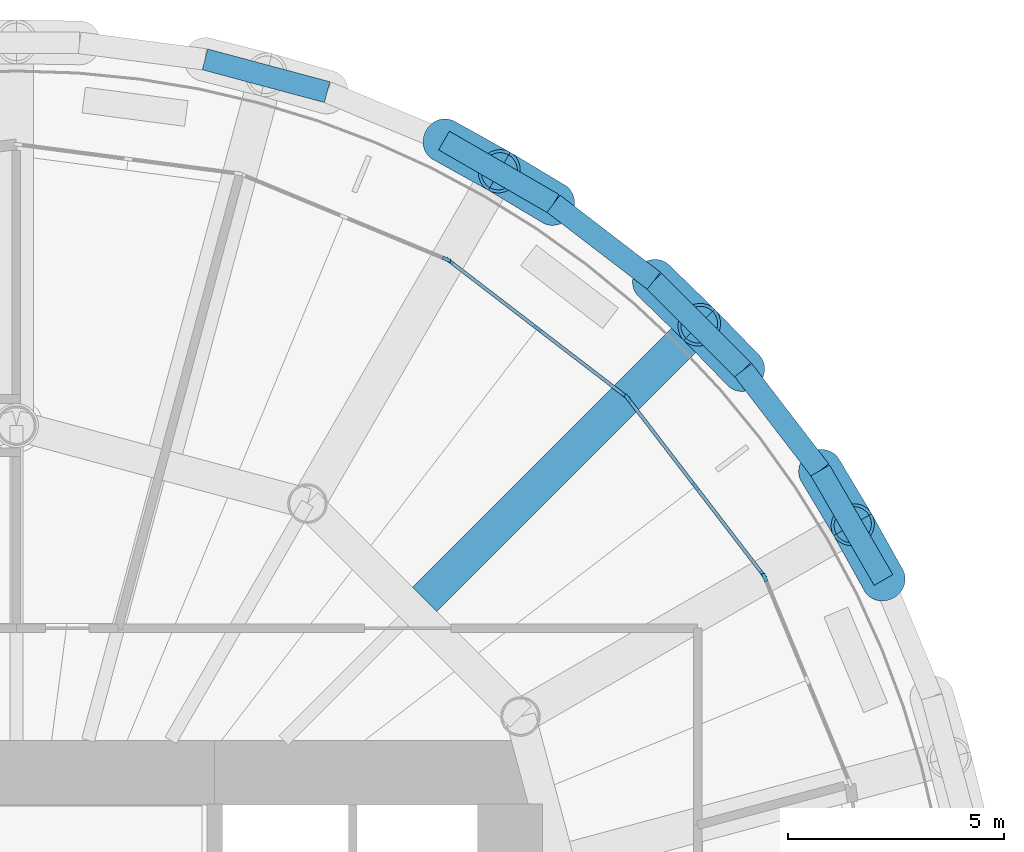
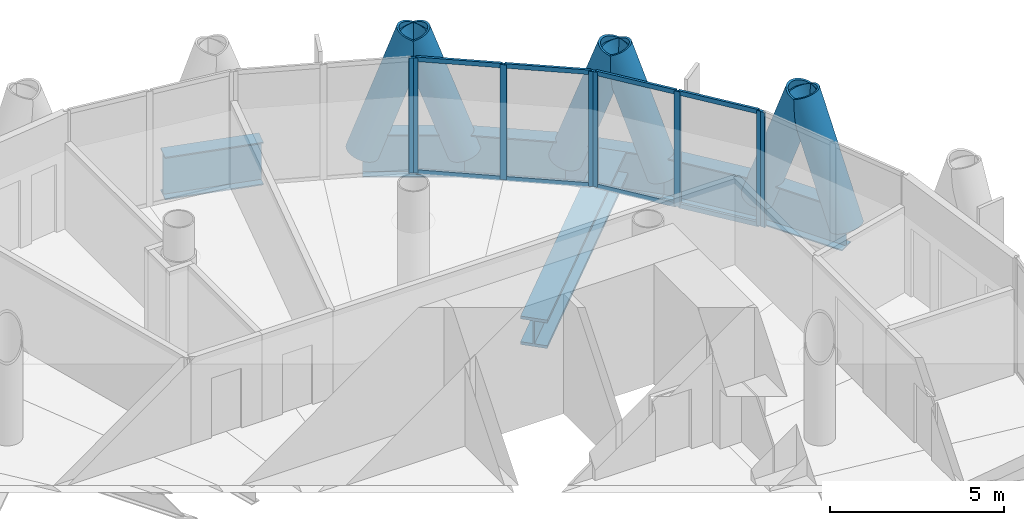
# One storey, part 6 of 14: 22 members, 7 beams, 4 elements without a shape of their own.
"""IFC4 building model written with IfcOpenShell, lengths in metres."""

from ifc_helpers import new_model, si_unit, direction, frame, origin, origin_2d, place, context, subcontext, project, spatial, rectangle, hollow_circle, i_section, extrude, material, material_profile, profile_set, type_object, element, aggregate, save


model = new_model("IFC4")

# Units and contexts
model_context = context("Model", 3, precision=1e-05, world=origin(), true_north=direction((0.0, 1.0)))
body_context = subcontext(model_context, "Body", "Model", "MODEL_VIEW")
ifc_project = project(units=[si_unit("LENGTHUNIT", "METRE"), si_unit("AREAUNIT", "SQUARE_METRE"), si_unit("VOLUMEUNIT", "CUBIC_METRE"), si_unit("PLANEANGLEUNIT", "RADIAN"), si_unit("MASSUNIT", "GRAM", prefix="KILO")], contexts=[model_context])

# Site, building, storey
site_placement = place(None, origin())
site = spatial("IfcSite", under=ifc_project, at=site_placement, CompositionType="ELEMENT")
building_placement = place(site_placement, origin())
building = spatial("IfcBuilding", under=site, at=building_placement, Name="Qaws Media Tower", CompositionType="ELEMENT")
storey_placement = place(building_placement, frame((0.0, 0.0, 240.199951171875)))
storey = spatial("IfcBuildingStorey", under=building, at=storey_placement, Name="L55", CompositionType="ELEMENT", Elevation=240.199951171875)

# Curtain wall, member
ifc_material_1 = material(Name="Aluminium and clear glass", Category="aluminium")
curtain_wall_type = type_object("IfcCurtainWallType", Name="Unitised curtain wall CW-C", PredefinedType="NOTDEFINED", material=ifc_material_1)
curtain_wall_1_placement = place(storey_placement, origin())
curtain_wall_1 = element("IfcCurtainWall", 1, at=curtain_wall_1_placement, inside=storey, type_object=curtain_wall_type, Name="CWC curtain wall L55-02", PredefinedType="NOTDEFINED")
ifc_material_2 = material(Name="Aluminium mullion", Category="aluminium")
ifc_material_profile_1 = material_profile(ifc_material_2, rectangle(XDim=0.080078125, YDim=0.199951171875, at=origin_2d()), Name="80x200")
ifc_profile_set_1 = profile_set([ifc_material_profile_1], Name="Aluminium mullion")
member_type_1 = type_object("IfcMemberType", Name="Curtain wall mullion 80x200", PredefinedType="MULLION", material=ifc_profile_set_1)
member_1_placement = place(storey_placement, frame((77.357421875, 59.9755859375, 0.0), z_axis=(0.0, 0.0, 1.0), x_axis=(-0.923879540446, -0.382683413209, 0.0)))
member_1 = element("IfcMember", 2, at=member_1_placement, type_object=member_type_1, Name="CWC mullion 3", PredefinedType="MULLION", context=body_context, shape_type="SweptSolid", body=[
    extrude(rectangle(XDim=0.080078125, YDim=0.199951171875, at=origin_2d()), origin(), (0.0, 0.0, 1.0), 4.0400390625),
])
aggregate(curtain_wall_1, [member_1])

# Curtain wall, members
curtain_wall_2_placement = place(storey_placement, origin())
curtain_wall_2 = element("IfcCurtainWall", 3, at=curtain_wall_2_placement, inside=storey, type_object=curtain_wall_type, Name="CWC curtain wall L55-03", PredefinedType="NOTDEFINED")
member_2_placement = place(storey_placement, frame((77.31787109375, 60.044189453125, 0.0), z_axis=(0.0, 0.0, 1.0), x_axis=(-0.793353265683, -0.60876152624, 0.0)))
member_2 = element("IfcMember", 4, at=member_2_placement, type_object=member_type_1, Name="CWC mullion 1", PredefinedType="MULLION", context=body_context, shape_type="SweptSolid", body=[
    extrude(rectangle(XDim=0.080078125, YDim=0.199951171875, at=origin_2d()), origin(), (0.0, 0.0, 1.0), 4.0400390625),
])
member_3_placement = place(storey_placement, frame((75.7509765625, 62.086181640625, 0.0), z_axis=(0.0, 0.0, 1.0), x_axis=(-0.793353265683, -0.60876152624, 0.0)))
member_3 = element("IfcMember", 5, at=member_3_placement, type_object=member_type_1, Name="CWC mullion 2", PredefinedType="MULLION", context=body_context, shape_type="SweptSolid", body=[
    extrude(rectangle(XDim=0.080078125, YDim=0.199951171875, at=origin_2d()), origin(), (0.0, 0.0, 1.0), 4.0400390625),
])
member_4_placement = place(storey_placement, frame((74.18408203125, 64.128173828125, 0.0), z_axis=(0.0, 0.0, 1.0), x_axis=(-0.793353265683, -0.60876152624, 0.0)))
member_4 = element("IfcMember", 6, at=member_4_placement, type_object=member_type_1, Name="CWC mullion 3", PredefinedType="MULLION", context=body_context, shape_type="SweptSolid", body=[
    extrude(rectangle(XDim=0.080078125, YDim=0.199951171875, at=origin_2d()), origin(), (0.0, 0.0, 1.0), 4.0400390625),
])

curtain_wall_3_placement = place(storey_placement, origin())
curtain_wall_3 = element("IfcCurtainWall", 7, at=curtain_wall_3_placement, inside=storey, type_object=curtain_wall_type, Name="CWC curtain wall L55-04", PredefinedType="NOTDEFINED")
member_5_placement = place(storey_placement, frame((74.128173828125, 64.18408203125, 0.0), z_axis=(0.0, 0.0, 1.0), x_axis=(-0.60876152624, -0.793353265683, 0.0)))
member_5 = element("IfcMember", 8, at=member_5_placement, type_object=member_type_1, Name="CWC mullion 1", PredefinedType="MULLION", context=body_context, shape_type="SweptSolid", body=[
    extrude(rectangle(XDim=0.080078125, YDim=0.199951171875, at=origin_2d()), origin(), (0.0, 0.0, 1.0), 4.0400390625),
])
member_6_placement = place(storey_placement, frame((72.086181640625, 65.7509765625, 0.0), z_axis=(0.0, 0.0, 1.0), x_axis=(-0.60876152624, -0.793353265683, 0.0)))
member_6 = element("IfcMember", 9, at=member_6_placement, type_object=member_type_1, Name="CWC mullion 2", PredefinedType="MULLION", context=body_context, shape_type="SweptSolid", body=[
    extrude(rectangle(XDim=0.080078125, YDim=0.199951171875, at=origin_2d()), origin(), (0.0, 0.0, 1.0), 4.0400390625),
])
member_7_placement = place(storey_placement, frame((70.044189453125, 67.31787109375, 0.0), z_axis=(0.0, 0.0, 1.0), x_axis=(-0.60876152624, -0.793353265683, 0.0)))
member_7 = element("IfcMember", 10, at=member_7_placement, type_object=member_type_1, Name="CWC mullion 3", PredefinedType="MULLION", context=body_context, shape_type="SweptSolid", body=[
    extrude(rectangle(XDim=0.080078125, YDim=0.199951171875, at=origin_2d()), origin(), (0.0, 0.0, 1.0), 4.0400390625),
])

# Curtain wall, member
curtain_wall_4_placement = place(storey_placement, origin())
curtain_wall_4 = element("IfcCurtainWall", 11, at=curtain_wall_4_placement, inside=storey, type_object=curtain_wall_type, Name="CWC curtain wall L55-05", PredefinedType="NOTDEFINED")
member_8_placement = place(storey_placement, frame((69.9755859375, 67.357421875, 0.0), z_axis=(0.0, 0.0, 1.0), x_axis=(-0.382683413209, -0.923879540446, 0.0)))
member_8 = element("IfcMember", 12, at=member_8_placement, type_object=member_type_1, Name="CWC mullion 1", PredefinedType="MULLION", context=body_context, shape_type="SweptSolid", body=[
    extrude(rectangle(XDim=0.080078125, YDim=0.199951171875, at=origin_2d()), origin(), (0.0, 0.0, 1.0), 4.0400390625),
])
aggregate(curtain_wall_4, [member_8])

# Member
ifc_material_3 = material(Name="Aluminium transom", Category="aluminium")
ifc_material_profile_2 = material_profile(ifc_material_3, rectangle(XDim=0.080078125, YDim=0.159912109375, at=origin_2d()), Name="80x160")
ifc_profile_set_2 = profile_set([ifc_material_profile_2], Name="Aluminium transom")
member_type_2 = type_object("IfcMemberType", Name="Curtain wall transom 80x160", PredefinedType="USERDEFINED", material=ifc_profile_set_2)
member_9_placement = place(storey_placement, frame((77.29345703125, 60.075927734375, 0.0400390625), z_axis=(-0.608735677651, 0.793373099339, 0.0), x_axis=(-0.793373099339, -0.608735677651, 0.0)))
member_9 = element("IfcMember", 13, at=member_9_placement, type_object=member_type_2, Name="CWC transom 1.1", ObjectType="TRANSOM", PredefinedType="USERDEFINED", context=body_context, shape_type="SweptSolid", body=[
    extrude(rectangle(XDim=0.080078125, YDim=0.159912109375, at=origin_2d()), origin(), (0.0, 0.0, 1.0), 2.493896484375),
])

member_10_placement = place(storey_placement, frame((77.29345703125, 60.075927734375, 4.0), z_axis=(-0.608735677651, 0.793373099339, 0.0), x_axis=(-0.793373099339, -0.608735677651, 0.0)))
member_10 = element("IfcMember", 14, at=member_10_placement, type_object=member_type_2, Name="CWC transom 1.2", ObjectType="TRANSOM", PredefinedType="USERDEFINED", context=body_context, shape_type="SweptSolid", body=[
    extrude(rectangle(XDim=0.080078125, YDim=0.159912109375, at=origin_2d()), origin(), (0.0, 0.0, 1.0), 2.493896484375),
])

member_11_placement = place(storey_placement, frame((75.7265625, 62.117919921875, 0.0400390625), z_axis=(-0.608735677651, 0.793373099339, 0.0), x_axis=(-0.793373099339, -0.608735677651, 0.0)))
member_11 = element("IfcMember", 15, at=member_11_placement, type_object=member_type_2, Name="CWC transom 2.1", ObjectType="TRANSOM", PredefinedType="USERDEFINED", context=body_context, shape_type="SweptSolid", body=[
    extrude(rectangle(XDim=0.080078125, YDim=0.159912109375, at=origin_2d()), origin(), (0.0, 0.0, 1.0), 2.493896484375),
])

member_12_placement = place(storey_placement, frame((75.7265625, 62.117919921875, 4.0), z_axis=(-0.608735677651, 0.793373099339, 0.0), x_axis=(-0.793373099339, -0.608735677651, 0.0)))
member_12 = element("IfcMember", 16, at=member_12_placement, type_object=member_type_2, Name="CWC transom 2.2", ObjectType="TRANSOM", PredefinedType="USERDEFINED", context=body_context, shape_type="SweptSolid", body=[
    extrude(rectangle(XDim=0.080078125, YDim=0.159912109375, at=origin_2d()), origin(), (0.0, 0.0, 1.0), 2.493896484375),
])

aggregate(curtain_wall_2, [member_2, member_3, member_4, member_9, member_10, member_11, member_12])

member_13_placement = place(storey_placement, frame((74.096435546875, 64.20849609375, 0.0400390625), z_axis=(-0.793373099339, 0.608735677651, 0.0), x_axis=(-0.608735677651, -0.793373099339, 0.0)))
member_13 = element("IfcMember", 17, at=member_13_placement, type_object=member_type_2, Name="CWC transom 1.1", ObjectType="TRANSOM", PredefinedType="USERDEFINED", context=body_context, shape_type="SweptSolid", body=[
    extrude(rectangle(XDim=0.080078125, YDim=0.159912109375, at=origin_2d()), origin(), (0.0, 0.0, 1.0), 2.493896484375),
])

member_14_placement = place(storey_placement, frame((74.096435546875, 64.20849609375, 4.0), z_axis=(-0.793373099339, 0.608735677651, 0.0), x_axis=(-0.608735677651, -0.793373099339, 0.0)))
member_14 = element("IfcMember", 18, at=member_14_placement, type_object=member_type_2, Name="CWC transom 1.2", ObjectType="TRANSOM", PredefinedType="USERDEFINED", context=body_context, shape_type="SweptSolid", body=[
    extrude(rectangle(XDim=0.080078125, YDim=0.159912109375, at=origin_2d()), origin(), (0.0, 0.0, 1.0), 2.493896484375),
])

member_15_placement = place(storey_placement, frame((72.054443359375, 65.775390625, 0.0400390625), z_axis=(-0.793373099339, 0.608735677651, 0.0), x_axis=(-0.608735677651, -0.793373099339, 0.0)))
member_15 = element("IfcMember", 19, at=member_15_placement, type_object=member_type_2, Name="CWC transom 2.1", ObjectType="TRANSOM", PredefinedType="USERDEFINED", context=body_context, shape_type="SweptSolid", body=[
    extrude(rectangle(XDim=0.080078125, YDim=0.159912109375, at=origin_2d()), origin(), (0.0, 0.0, 1.0), 2.493896484375),
])

member_16_placement = place(storey_placement, frame((72.054443359375, 65.775390625, 4.0), z_axis=(-0.793373099339, 0.608735677651, 0.0), x_axis=(-0.608735677651, -0.793373099339, 0.0)))
member_16 = element("IfcMember", 20, at=member_16_placement, type_object=member_type_2, Name="CWC transom 2.2", ObjectType="TRANSOM", PredefinedType="USERDEFINED", context=body_context, shape_type="SweptSolid", body=[
    extrude(rectangle(XDim=0.080078125, YDim=0.159912109375, at=origin_2d()), origin(), (0.0, 0.0, 1.0), 2.493896484375),
])

aggregate(curtain_wall_3, [member_5, member_6, member_7, member_13, member_14, member_15, member_16])

# Members
ifc_material_4 = material(Name="Steel S460", Category="steel")
ifc_material_profile_3 = material_profile(ifc_material_4, hollow_circle(Radius=0.508056640625, WallThickness=0.070068359375, at=origin_2d()), Name="CHS 1016x70")
ifc_profile_set_3 = profile_set([ifc_material_profile_3], Name="Steel S460")
member_type_3 = type_object("IfcMemberType", Name="Diagrid member CHS 1016x70", PredefinedType="USERDEFINED", material=ifc_profile_set_3)
for number, where, z_axis, x_axis, name in (
    (21, (80.1123046875, 59.918212890625, -0.909912109375), (-0.16035500825, 0.288112181147, 0.944075019479), (-0.873780180537, -0.486321083339, 0.0), "DG3 diagrid L55 A02"),
    (22, (76.860107421875, 64.785888671875, -0.909912109375), (-0.229502230315, 0.236746203151, 0.944076247754), (-0.718006249042, -0.696036655886, 0.0), "DG3 diagrid L55 A03"),
    (23, (78.645751953125, 62.458740234375, -0.909912109375), (0.16929995642, -0.282953184863, 0.944073630567), (0.858123742707, 0.513442929839, 0.0), "DG3 diagrid L55 B03"),
    (24, (72.458740234375, 68.645751953125, -0.909912109375), (-0.282953184863, 0.16929995642, 0.944073630567), (-0.513442929839, -0.858123742707, 0.0), "DG3 diagrid L55 A04"),
    (25, (74.785888671875, 66.860107421875, -0.909912109375), (0.236746203151, -0.229502230315, 0.944076247754), (0.696036655886, 0.718006249042, 0.0), "DG3 diagrid L55 B04"),
    (26, (69.918212890625, 70.1123046875, -0.909912109375), (0.288112181147, -0.16035500825, 0.944075019479), (0.486321083339, 0.873780180537, 0.0), "DG3 diagrid L55 B05"),
):
    element("IfcMember", number, at=place(storey_placement, frame(where, z_axis=z_axis, x_axis=x_axis)), inside=storey, type_object=member_type_3, Name=name, ObjectType="DIAGRID", PredefinedType="USERDEFINED", context=body_context, shape_type="SweptSolid", body=[
        extrude(hollow_circle(Radius=0.508056640625, WallThickness=0.070068359375, at=origin_2d()), origin(), (0.0, 0.0, 1.0), 4.44873046875),
    ])

# Beams
ifc_material_5 = material(Name="Steel S460", Category="steel")
ifc_material_profile_4 = material_profile(ifc_material_5, i_section(OverallWidth=0.5, OverallDepth=1.5, WebThickness=0.02001953125, FlangeThickness=0.0400390625, at=origin_2d()), Name="PG 1500x500")
ifc_profile_set_4 = profile_set([ifc_material_profile_4], Name="Steel S460")
beam_type_1 = type_object("IfcBeamType", Name="Edge ring beam PG 1500x500", PredefinedType="BEAM", material=ifc_profile_set_4)
for number, where, z_axis, x_axis, name in (
    (27, (80.1123046875, 59.918212890625, -0.909912109375), (-0.499943390069, 0.866058085077, 0.0), (-0.866058085077, -0.499943390069, 0.0), "RB4 edge ring beam L55-04"),
    (28, (78.645751953125, 62.458740234375, -0.909912109375), (-0.608753002635, 0.793359806004, 0.0), (-0.793359806004, -0.608753002635, 0.0), "RB4 edge ring beam L55-05"),
    (29, (76.860107421875, 64.785888671875, -0.909912109375), (-0.707106781187, 0.707106781187, 0.0), (-0.707106781187, -0.707106781187, 0.0), "RB4 edge ring beam L55-06"),
    (30, (74.785888671875, 66.860107421875, -0.909912109375), (-0.793359806004, 0.608753002635, 0.0), (-0.608753002635, -0.793359806004, 0.0), "RB4 edge ring beam L55-07"),
    (31, (72.458740234375, 68.645751953125, -0.909912109375), (-0.866058085077, 0.499943390069, 0.0), (-0.499943390069, -0.866058085077, 0.0), "RB4 edge ring beam L55-08"),
):
    element("IfcBeam", number, at=place(storey_placement, frame(where, z_axis=z_axis, x_axis=x_axis)), inside=storey, type_object=beam_type_1, Name=name, PredefinedType="BEAM", context=body_context, shape_type="SweptSolid", body=[
        extrude(i_section(OverallWidth=0.5, OverallDepth=1.5, WebThickness=0.02001953125, FlangeThickness=0.0400390625, at=origin_2d()), origin(), (0.0, 0.0, 1.0), 2.933349609375),
    ])
beam_1_placement = place(storey_placement, frame((67.208251953125, 71.23486328125, -0.909912109375), z_axis=(-0.965916469839, 0.258853961327, 0.0), x_axis=(-0.258853961327, -0.965916469839, 0.0)))
element("IfcBeam", 32, at=beam_1_placement, inside=storey, type_object=beam_type_1, Name="RB4 edge ring beam L55-10", PredefinedType="BEAM", context=body_context, shape_type="SweptSolid", body=[
    extrude(i_section(OverallWidth=0.5, OverallDepth=1.5, WebThickness=0.02001953125, FlangeThickness=0.0400390625, at=origin_2d()), origin(), (0.0, 0.0, 1.0), 2.93310546875),
])
ifc_material_6 = material(Name="Steel S460", Category="steel")
ifc_material_profile_5 = material_profile(ifc_material_6, i_section(OverallWidth=0.800048828125, OverallDepth=1.0, WebThickness=0.0400390625, FlangeThickness=0.10009765625, at=origin_2d()), Name="PG 1000x800")
ifc_profile_set_5 = profile_set([ifc_material_profile_5], Name="Steel S460")
beam_type_2 = type_object("IfcBeamType", Name="Radial girder PG 1000x800", PredefinedType="BEAM", material=ifc_profile_set_5)
beam_2_placement = place(storey_placement, frame((69.46826171875, 59.46826171875, -0.659912109375), z_axis=(0.707106781187, 0.707106781187, 0.0), x_axis=(-0.707106781187, 0.707106781187, 0.0)))
element("IfcBeam", 33, at=beam_2_placement, inside=storey, type_object=beam_type_2, Name="B1 radial beam L55 04", PredefinedType="BEAM", context=body_context, shape_type="SweptSolid", body=[
    extrude(i_section(OverallWidth=0.800048828125, OverallDepth=1.0, WebThickness=0.0400390625, FlangeThickness=0.10009765625, at=origin_2d()), origin(), (0.0, 0.0, 1.0), 8.987060546875),
])

save(model, "model.ifc")
